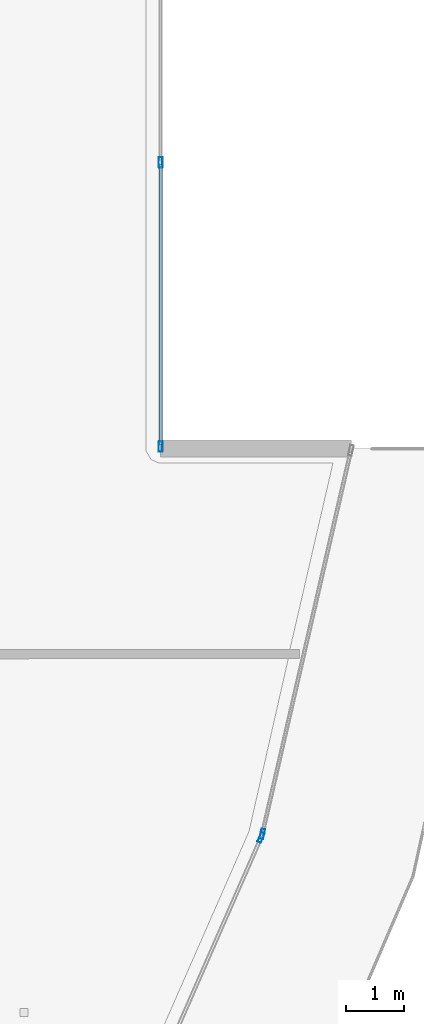
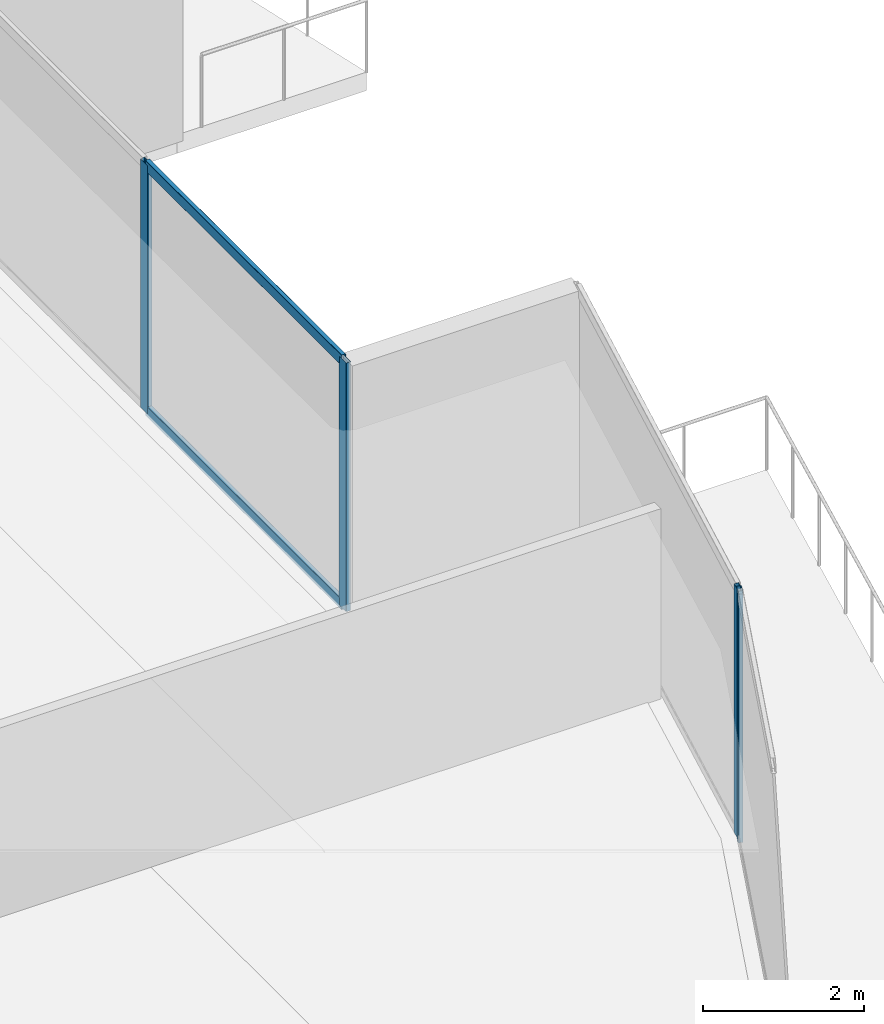
# One storey, part 12 of 45: 6 members, 3 elements without a shape of their own.
"""IFC4 building model written with IfcOpenShell, lengths in metres."""

from ifc_helpers import new_model, si_unit, direction, frame, origin, origin_2d, place, context, subcontext, project, spatial, hollow_rectangle, extrude, material, layer, layer_set, material_profile, profile_set, type_object, element, aggregate, save


model = new_model("IFC4")

# Units and contexts
model_context = context("Model", 3, precision=1e-05, world=origin(), true_north=direction((0.0, 1.0)))
body_context = subcontext(model_context, "Body", "Model", "MODEL_VIEW")
ifc_project = project(units=[si_unit("LENGTHUNIT", "METRE"), si_unit("AREAUNIT", "SQUARE_METRE"), si_unit("VOLUMEUNIT", "CUBIC_METRE"), si_unit("PLANEANGLEUNIT", "RADIAN"), si_unit("MASSUNIT", "GRAM", prefix="KILO")], contexts=[model_context])

# Site, building, storey
site_placement = place(None, origin())
site = spatial("IfcSite", under=ifc_project, at=site_placement, CompositionType="ELEMENT")
building_placement = place(site_placement, origin())
building = spatial("IfcBuilding", under=site, at=building_placement, Name="Qorvath Tower", CompositionType="ELEMENT")
storey_placement = place(building_placement, frame((0.0, 0.0, 126.0)))
storey = spatial("IfcBuildingStorey", under=building, at=storey_placement, Name="L28", CompositionType="ELEMENT", Elevation=126.0)

# Curtain wall, member
ifc_material_1 = material(Name="Anodised aluminium and triple low-E glass", Category="aluminium")
ifc_layer = layer(ifc_material_1, 0.179931640625)
ifc_layer_set = layer_set([ifc_layer], Name="CW-SYS-2")
curtain_wall_type = type_object("IfcCurtainWallType", Name="CW-SYS-2", PredefinedType="NOTDEFINED", material=ifc_layer_set)
curtain_wall_1_placement = place(storey_placement, origin())
curtain_wall_1 = element("IfcCurtainWall", 1, at=curtain_wall_1_placement, inside=storey, type_object=curtain_wall_type, Name="Curtain Wall CW-2 CW-T-L28-6.1", PredefinedType="NOTDEFINED")
ifc_material_2 = material(Name="Anodised aluminium 6063-T6", Category="aluminium")
ifc_material_profile_1 = material_profile(ifc_material_2, hollow_rectangle(XDim=0.06494140625, YDim=0.179931640625, WallThickness=0.00341796875, InnerFilletRadius=0.00341796875, OuterFilletRadius=0.007080078125, at=origin_2d()), Name="CWM 180x65")
ifc_profile_set_1 = profile_set([ifc_material_profile_1], Name="Anodised aluminium 6063-T6")
member_type_1 = type_object("IfcMemberType", Name="CWM-180", PredefinedType="MULLION", material=ifc_profile_set_1)
member_1_placement = place(storey_placement, frame((3.13134765625, -11.721923828125, 0.0), z_axis=(0.0, 0.0, 1.0), x_axis=(-0.915793818987, 0.401648703602, 0.0)))
member_1 = element("IfcMember", 2, at=member_1_placement, type_object=member_type_1, Name="CW-2 mullion 2", PredefinedType="MULLION", context=body_context, shape_type="SweptSolid", body=[
    extrude(hollow_rectangle(XDim=0.06494140625, YDim=0.179931640625, WallThickness=0.00341796875, InnerFilletRadius=0.00341796875, OuterFilletRadius=0.007080078125, at=origin_2d()), origin(), (0.0, 0.0, 1.0), 3.77001953125),
])
aggregate(curtain_wall_1, [member_1])

curtain_wall_2_placement = place(storey_placement, origin())
curtain_wall_2 = element("IfcCurtainWall", 3, at=curtain_wall_2_placement, inside=storey, type_object=curtain_wall_type, Name="Curtain Wall CW-2 CW-T-L28-7.1", PredefinedType="NOTDEFINED")
member_2_placement = place(storey_placement, frame((3.151611328125, -11.660400390625, 0.0), z_axis=(0.0, 0.0, 1.0), x_axis=(-0.974296356855, 0.225270080166, 0.0)))
member_2 = element("IfcMember", 4, at=member_2_placement, type_object=member_type_1, Name="CW-2 mullion 1", PredefinedType="MULLION", context=body_context, shape_type="SweptSolid", body=[
    extrude(hollow_rectangle(XDim=0.06494140625, YDim=0.179931640625, WallThickness=0.00341796875, InnerFilletRadius=0.00341796875, OuterFilletRadius=0.007080078125, at=origin_2d()), origin(), (0.0, 0.0, 1.0), 3.77001953125),
])
aggregate(curtain_wall_2, [member_2])

# Curtain wall, members
curtain_wall_3_placement = place(storey_placement, origin())
curtain_wall_3 = element("IfcCurtainWall", 5, at=curtain_wall_3_placement, inside=storey, type_object=curtain_wall_type, Name="Curtain Wall CW-2 CW-T-L28-9.1", PredefinedType="NOTDEFINED")
member_3_placement = place(storey_placement, frame((1.386962890625, -4.935546875, 0.0), z_axis=(0.0, 0.0, 1.0), x_axis=(-1.0, 0.0, 0.0)))
member_3 = element("IfcMember", 6, at=member_3_placement, type_object=member_type_1, Name="CW-2 mullion 1", PredefinedType="MULLION", context=body_context, shape_type="SweptSolid", body=[
    extrude(hollow_rectangle(XDim=0.06494140625, YDim=0.179931640625, WallThickness=0.00341796875, InnerFilletRadius=0.00341796875, OuterFilletRadius=0.007080078125, at=origin_2d()), origin(), (0.0, 0.0, 1.0), 3.77001953125),
])
member_4_placement = place(storey_placement, frame((1.386962890625, 0.0, 0.0), z_axis=(0.0, 0.0, 1.0), x_axis=(-1.0, 0.0, 0.0)))
member_4 = element("IfcMember", 7, at=member_4_placement, type_object=member_type_1, Name="CW-2 mullion 2", PredefinedType="MULLION", context=body_context, shape_type="SweptSolid", body=[
    extrude(hollow_rectangle(XDim=0.06494140625, YDim=0.179931640625, WallThickness=0.00341796875, InnerFilletRadius=0.00341796875, OuterFilletRadius=0.007080078125, at=origin_2d()), origin(), (0.0, 0.0, 1.0), 3.77001953125),
])
ifc_material_3 = material(Name="Anodised aluminium 6063-T6", Category="aluminium")
ifc_material_profile_2 = material_profile(ifc_material_3, hollow_rectangle(XDim=0.06494140625, YDim=0.159912109375, WallThickness=0.00341796875, InnerFilletRadius=0.00341796875, OuterFilletRadius=0.007080078125, at=origin_2d()), Name="CWT 160x65")
ifc_profile_set_2 = profile_set([ifc_material_profile_2], Name="Anodised aluminium 6063-T6")
member_type_2 = type_object("IfcMemberType", Name="CWT-160", PredefinedType="USERDEFINED", material=ifc_profile_set_2)
member_5_placement = place(storey_placement, frame((1.386962890625, -4.903076171875, 0.032470703125), z_axis=(0.0, 1.0, 0.0), x_axis=(-1.0, 0.0, 0.0)))
member_5 = element("IfcMember", 8, at=member_5_placement, type_object=member_type_2, Name="CW-2 transom 1.1", ObjectType="TRANSOM", PredefinedType="USERDEFINED", context=body_context, shape_type="SweptSolid", body=[
    extrude(hollow_rectangle(XDim=0.06494140625, YDim=0.159912109375, WallThickness=0.00341796875, InnerFilletRadius=0.00341796875, OuterFilletRadius=0.007080078125, at=origin_2d()), origin(), (0.0, 0.0, 1.0), 4.87060546875),
])
member_6_placement = place(storey_placement, frame((1.386962890625, -4.903076171875, 3.737548828125), z_axis=(0.0, 1.0, 0.0), x_axis=(-1.0, 0.0, 0.0)))
member_6 = element("IfcMember", 9, at=member_6_placement, type_object=member_type_2, Name="CW-2 transom 1.2", ObjectType="TRANSOM", PredefinedType="USERDEFINED", context=body_context, shape_type="SweptSolid", body=[
    extrude(hollow_rectangle(XDim=0.06494140625, YDim=0.159912109375, WallThickness=0.00341796875, InnerFilletRadius=0.00341796875, OuterFilletRadius=0.007080078125, at=origin_2d()), origin(), (0.0, 0.0, 1.0), 4.87060546875),
])
aggregate(curtain_wall_3, [member_3, member_4, member_5, member_6])

save(model, "model.ifc")
